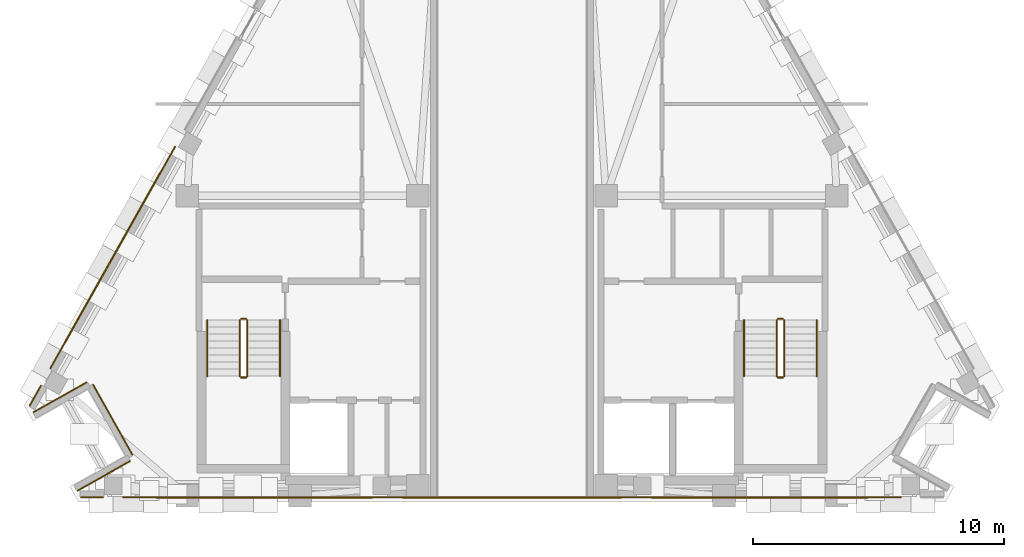
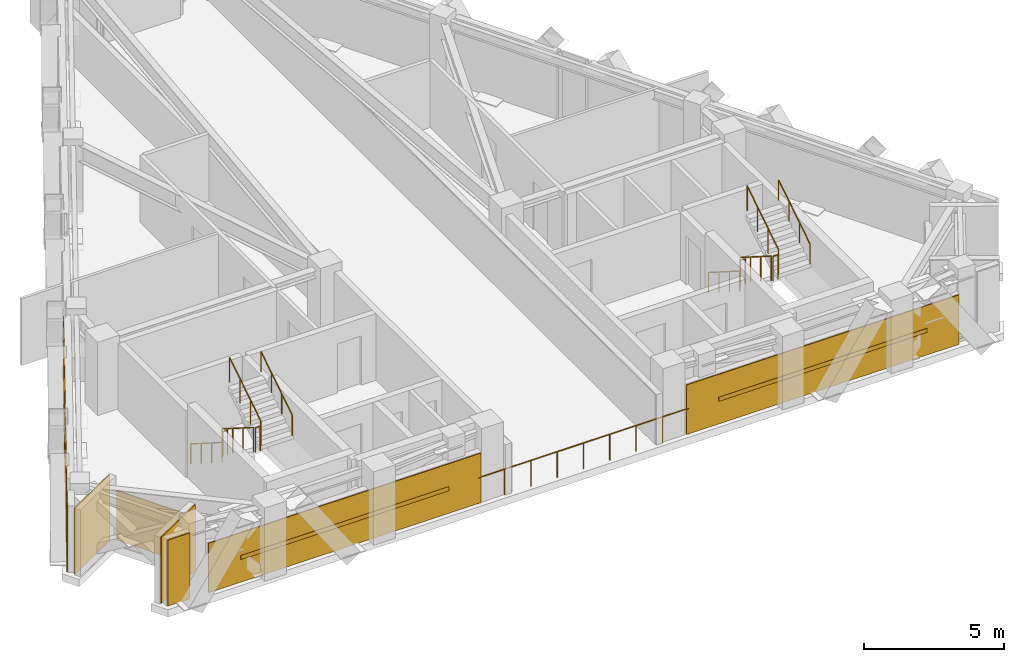
# One storey, part 6 of 7: 13 railings, 8 coverings, 3 shading devices.
"""IFC4 building model written with IfcOpenShell, lengths in metres."""

from ifc_helpers import new_model, si_unit, direction, frame, origin, origin_2d, place, context, subcontext, project, spatial, polyline, rectangle, circle, outline, extrude, material, layer, layer_set, material_profile, profile_set, type_object, element, save


model = new_model("IFC4")

# Units and contexts
model_context = context("Model", 3, precision=1e-05, world=origin(), true_north=direction((0.0, 1.0)))
body_context = subcontext(model_context, "Body", "Model", "MODEL_VIEW")
ifc_project = project(units=[si_unit("LENGTHUNIT", "METRE"), si_unit("AREAUNIT", "SQUARE_METRE"), si_unit("VOLUMEUNIT", "CUBIC_METRE"), si_unit("PLANEANGLEUNIT", "RADIAN"), si_unit("MASSUNIT", "GRAM", prefix="KILO")], contexts=[model_context])

# Site, building, storey
site_placement = place(None, origin())
site = spatial("IfcSite", under=ifc_project, at=site_placement, CompositionType="ELEMENT")
building_placement = place(site_placement, origin())
building = spatial("IfcBuilding", under=site, at=building_placement, Name="Quenlor Broadcast Tower", CompositionType="ELEMENT")
storey_placement = place(building_placement, frame((0.0, 0.0, 270.89990234375)))
storey = spatial("IfcBuildingStorey", under=building, at=storey_placement, Name="L75", CompositionType="ELEMENT", Elevation=270.89990234375)

# Coverings
ifc_material_1 = material(Name="Architectural Terracotta Ceramic", Category="masonry")
ifc_layer = layer(ifc_material_1, 0.044921875)
ifc_layer_set = layer_set([ifc_layer], Name="Fluted Terracotta Rainscreen Cladding Panel")
covering_type = type_object("IfcCoveringType", Name="Fluted Terracotta Rainscreen Cladding Panel", PredefinedType="CLADDING", material=ifc_layer_set)
covering_1_placement = place(storey_placement, frame((0.0, 0.0, 0.02001953125)))
element("IfcCovering", 1, at=covering_1_placement, inside=storey, type_object=covering_type, Name="L75 Terracotta Rainscreen Cladding L75-SHD-SS1", PredefinedType="CLADDING", context=body_context, shape_type="SweptSolid", body=[
    extrude(outline(polyline([(-16.28271484375, -16.787109375), (-17.18994140625, -16.787109375), (-17.18994140625, -16.83203125), (-16.28271484375, -16.83203125), (-16.28271484375, -16.787109375)])), origin(), (0.0, 0.0, 1.0), 2.880126953125),
])
covering_2_placement = place(storey_placement, frame((0.0, 0.0, 0.02001953125)))
element("IfcCovering", 2, at=covering_2_placement, inside=storey, type_object=covering_type, Name="L75 Terracotta Rainscreen Cladding L75-EW-SA", PredefinedType="CLADDING", context=body_context, shape_type="SweptSolid", body=[
    extrude(outline(polyline([(15.5126953125, -16.797119140625), (4.25, -16.797119140625), (4.25, -16.842041015625), (15.5126953125, -16.842041015625), (15.5126953125, -16.797119140625)])), origin(), (0.0, 0.0, 1.0), 2.1640625),
])
covering_3_placement = place(storey_placement, frame((0.0, 0.0, 0.02001953125)))
element("IfcCovering", 3, at=covering_3_placement, inside=storey, type_object=covering_type, Name="L75 Terracotta Rainscreen Cladding L75-EW-SC", PredefinedType="CLADDING", context=body_context, shape_type="SweptSolid", body=[
    extrude(outline(polyline([(-4.25, -16.797119140625), (-15.5126953125, -16.797119140625), (-15.5126953125, -16.842041015625), (-4.25, -16.842041015625), (-4.25, -16.797119140625)])), origin(), (0.0, 0.0, 1.0), 2.1640625),
])
covering_4_placement = place(storey_placement, frame((0.0, 0.0, 0.02001953125)))
element("IfcCovering", 4, at=covering_4_placement, inside=storey, type_object=covering_type, Name="L75 Terracotta Rainscreen Cladding L75-SHD-NWS0", PredefinedType="CLADDING", context=body_context, shape_type="SweptSolid", body=[
    extrude(outline(polyline([(-19.210205078125, -13.185791015625), (-18.751708984375, -12.37109375), (-18.791015625, -12.34912109375), (-19.24951171875, -13.163818359375), (-19.210205078125, -13.185791015625)])), origin(), (0.0, 0.0, 1.0), 2.880126953125),
])
covering_5_placement = place(storey_placement, frame((0.0, 0.0, 0.02001953125)))
element("IfcCovering", 5, at=covering_5_placement, inside=storey, type_object=covering_type, Name="L75 Terracotta Rainscreen Cladding L75-EW-NWA", PredefinedType="CLADDING", context=body_context, shape_type="SweptSolid", body=[
    extrude(outline(polyline([(-18.383056640625, -11.695068359375), (-13.40380859375, -2.843017578125), (-13.443115234375, -2.821044921875), (-18.42236328125, -11.673095703125), (-18.383056640625, -11.695068359375)])), origin(), (0.0, 0.0, 1.0), 2.880126953125),
])
covering_6_placement = place(storey_placement, frame((0.0, 0.0, 0.02001953125)))
element("IfcCovering", 6, at=covering_6_placement, inside=storey, type_object=covering_type, Name="L75 Terracotta Rainscreen Cladding L75-CNR-13", PredefinedType="CLADDING", context=body_context, shape_type="SweptSolid", body=[
    extrude(outline(polyline([(-19.062255859375, -13.444091796875), (-16.935546875, -12.247802734375), (-16.95751953125, -12.208740234375), (-19.084228515625, -13.405029296875), (-19.062255859375, -13.444091796875)])), origin(), (0.0, 0.0, 1.0), 2.880126953125),
])
covering_7_placement = place(storey_placement, frame((0.0, 0.0, 0.02001953125)))
element("IfcCovering", 7, at=covering_7_placement, inside=storey, type_object=covering_type, Name="L75 Terracotta Rainscreen Cladding L75-CNR-14", PredefinedType="CLADDING", context=body_context, shape_type="SweptSolid", body=[
    extrude(outline(polyline([(-16.72265625, -12.3369140625), (-15.14599609375, -15.139892578125), (-15.106689453125, -15.117919921875), (-16.683349609375, -12.31494140625), (-16.72265625, -12.3369140625)])), origin(), (0.0, 0.0, 1.0), 2.1640625),
])
covering_8_placement = place(storey_placement, frame((0.0, 0.0, 0.02001953125)))
element("IfcCovering", 8, at=covering_8_placement, inside=storey, type_object=covering_type, Name="L75 Terracotta Rainscreen Cladding L75-CNR-15", PredefinedType="CLADDING", context=body_context, shape_type="SweptSolid", body=[
    extrude(outline(polyline([(-15.23486328125, -15.352783203125), (-17.32666015625, -16.529541015625), (-17.3046875, -16.568603515625), (-15.212890625, -15.39208984375), (-15.23486328125, -15.352783203125)])), origin(), (0.0, 0.0, 1.0), 2.880126953125),
])

# Railings
ifc_material_2 = material(Name="Anodised Aluminium", Category="aluminium")
railing_type_1 = type_object("IfcRailingType", Name="Laminated Glass and Steel Perimeter Balustrade 1150", PredefinedType="BALUSTRADE", material=ifc_material_2)
railing_1_placement = place(storey_placement, frame((-4.35009765625, -16.820068359375, 0.0)))
element("IfcRailing", 9, at=railing_1_placement, inside=storey, type_object=railing_type_1, Name="L75 Wind Portal South Threshold Balustrade", PredefinedType="BALUSTRADE", context=body_context, shape_type="SweptSolid", body=[
    extrude(circle(Radius=0.02392578125, at=origin_2d()), frame((0.0, 0.0, 1.1259765625), z_axis=(1.0, 0.0, 0.0), x_axis=(0.0, 1.0, 0.0)), (0.0, 0.0, 1.0), 8.7001953125),
    extrude(circle(Radius=0.02099609375, at=origin_2d()), origin(), (0.0, 0.0, 1.0), 1.101806640625),
    extrude(circle(Radius=0.02099609375, at=origin_2d()), frame((1.08740234375, 0.0, 0.0)), (0.0, 0.0, 1.0), 1.101806640625),
    extrude(circle(Radius=0.02099609375, at=origin_2d()), frame((2.175048828125, 0.0, 0.0)), (0.0, 0.0, 1.0), 1.101806640625),
    extrude(circle(Radius=0.02099609375, at=origin_2d()), frame((3.2626953125, 0.0, 0.0)), (0.0, 0.0, 1.0), 1.101806640625),
    extrude(circle(Radius=0.02099609375, at=origin_2d()), frame((4.35009765625, 0.0, 0.0)), (0.0, 0.0, 1.0), 1.101806640625),
    extrude(circle(Radius=0.02099609375, at=origin_2d()), frame((5.4375, 0.0, 0.0)), (0.0, 0.0, 1.0), 1.101806640625),
    extrude(circle(Radius=0.02099609375, at=origin_2d()), frame((6.525146484375, 0.0, 0.0)), (0.0, 0.0, 1.0), 1.101806640625),
    extrude(circle(Radius=0.02099609375, at=origin_2d()), frame((7.61279296875, 0.0, 0.0)), (0.0, 0.0, 1.0), 1.101806640625),
    extrude(circle(Radius=0.02099609375, at=origin_2d()), frame((8.7001953125, 0.0, 0.0)), (0.0, 0.0, 1.0), 1.101806640625),
])
ifc_material_3 = material(Name="Anodised Aluminium", Category="aluminium")
railing_type_2 = type_object("IfcRailingType", Name="Stainless Aluminium Wall Handrail 900", PredefinedType="HANDRAIL", material=ifc_material_3)
railing_2_placement = place(storey_placement, frame((-12.14990234375, -9.75, 0.177978515625)))
element("IfcRailing", 10, at=railing_2_placement, inside=storey, type_object=railing_type_2, Name="L75 ST-1 stair handrail 1", PredefinedType="HANDRAIL", context=body_context, shape_type="SweptSolid", body=[
    extrude(circle(Radius=0.02392578125, at=origin_2d()), frame((0.0, 0.0, 0.8759765625), z_axis=(0.0, -0.8442293374, 0.53598211339), x_axis=(1.0, 0.0, 0.0)), (0.0, 0.0, 1.0), 2.6533203125),
    extrude(circle(Radius=0.02099609375, at=origin_2d()), origin(), (0.0, 0.0, 1.0), 0.851806640625),
    extrude(circle(Radius=0.02099609375, at=origin_2d()), frame((0.0, -0.74658203125, 0.47412109375)), (0.0, 0.0, 1.0), 0.851806640625),
    extrude(circle(Radius=0.02099609375, at=origin_2d()), frame((0.0, -1.493408203125, 0.947998046875)), (0.0, 0.0, 1.0), 0.851806640625),
    extrude(circle(Radius=0.02099609375, at=origin_2d()), frame((0.0, -2.239990234375, 1.422119140625)), (0.0, 0.0, 1.0), 0.851806640625),
])
railing_3_placement = place(storey_placement, frame((-9.25, -11.989990234375, 1.77783203125)))
element("IfcRailing", 11, at=railing_3_placement, inside=storey, type_object=railing_type_2, Name="L75 ST-1 stair handrail 2", PredefinedType="HANDRAIL", context=body_context, shape_type="SweptSolid", body=[
    extrude(circle(Radius=0.02392578125, at=origin_2d()), frame((0.0, 0.0, 0.8759765625), z_axis=(0.0, 0.84418770128, 0.536047689118), x_axis=(-1.0, 0.0, 0.0)), (0.0, 0.0, 1.0), 2.6533203125),
    extrude(circle(Radius=0.02099609375, at=origin_2d()), origin(), (0.0, 0.0, 1.0), 0.851806640625),
    extrude(circle(Radius=0.02099609375, at=origin_2d()), frame((0.0, 0.74658203125, 0.47412109375)), (0.0, 0.0, 1.0), 0.851806640625),
    extrude(circle(Radius=0.02099609375, at=origin_2d()), frame((0.0, 1.493408203125, 0.9482421875)), (0.0, 0.0, 1.0), 0.851806640625),
    extrude(circle(Radius=0.02099609375, at=origin_2d()), frame((0.0, 2.239990234375, 1.42236328125)), (0.0, 0.0, 1.0), 0.851806640625),
])
railing_4_placement = place(storey_placement, frame((9.25, -9.75, 0.177978515625)))
element("IfcRailing", 12, at=railing_4_placement, inside=storey, type_object=railing_type_2, Name="L75 ST-2 stair handrail 1", PredefinedType="HANDRAIL", context=body_context, shape_type="SweptSolid", body=[
    extrude(circle(Radius=0.02392578125, at=origin_2d()), frame((0.0, 0.0, 0.8759765625), z_axis=(0.0, -0.8442293374, 0.53598211339), x_axis=(1.0, 0.0, 0.0)), (0.0, 0.0, 1.0), 2.6533203125),
    extrude(circle(Radius=0.02099609375, at=origin_2d()), origin(), (0.0, 0.0, 1.0), 0.851806640625),
    extrude(circle(Radius=0.02099609375, at=origin_2d()), frame((0.0, -0.74658203125, 0.47412109375)), (0.0, 0.0, 1.0), 0.851806640625),
    extrude(circle(Radius=0.02099609375, at=origin_2d()), frame((0.0, -1.493408203125, 0.947998046875)), (0.0, 0.0, 1.0), 0.851806640625),
    extrude(circle(Radius=0.02099609375, at=origin_2d()), frame((0.0, -2.239990234375, 1.422119140625)), (0.0, 0.0, 1.0), 0.851806640625),
])
railing_5_placement = place(storey_placement, frame((12.14990234375, -11.989990234375, 1.77783203125)))
element("IfcRailing", 13, at=railing_5_placement, inside=storey, type_object=railing_type_2, Name="L75 ST-2 stair handrail 2", PredefinedType="HANDRAIL", context=body_context, shape_type="SweptSolid", body=[
    extrude(circle(Radius=0.02392578125, at=origin_2d()), frame((0.0, 0.0, 0.8759765625), z_axis=(0.0, 0.84418770128, 0.536047689118), x_axis=(-1.0, 0.0, 0.0)), (0.0, 0.0, 1.0), 2.6533203125),
    extrude(circle(Radius=0.02099609375, at=origin_2d()), origin(), (0.0, 0.0, 1.0), 0.851806640625),
    extrude(circle(Radius=0.02099609375, at=origin_2d()), frame((0.0, 0.74658203125, 0.47412109375)), (0.0, 0.0, 1.0), 0.851806640625),
    extrude(circle(Radius=0.02099609375, at=origin_2d()), frame((0.0, 1.493408203125, 0.9482421875)), (0.0, 0.0, 1.0), 0.851806640625),
    extrude(circle(Radius=0.02099609375, at=origin_2d()), frame((0.0, 2.239990234375, 1.42236328125)), (0.0, 0.0, 1.0), 0.851806640625),
])

# Shading devices
ifc_material_4 = material(Name="Architectural Terracotta Ceramic", Category="masonry")
ifc_material_profile = material_profile(ifc_material_4, rectangle(XDim=0.06005859375, YDim=0.179931640625, at=origin_2d()))
ifc_profile_set = profile_set([ifc_material_profile], Name="Architectural Terracotta Ceramic LVR60x180")
shading_device_type = type_object("IfcShadingDeviceType", Name="Terracotta Acoustic Plant Weather Louvre 180", PredefinedType="JALOUSIE", material=ifc_profile_set)
for number, where, z_axis, x_axis, name in (
    (14, (14.183837890625, -16.822998046875, 1.10205078125), (-1.0, 0.0, 0.0), (0.0, -1.0, 0.0), "L75 Plant Weather Louvre L75-LV-SA"),
    (15, (-5.57861328125, -16.822998046875, 1.10205078125), (-1.0, 0.0, 0.0), (0.0, -1.0, 0.0), "L75 Plant Weather Louvre L75-LV-SC"),
):
    element("IfcShadingDevice", number, at=place(storey_placement, frame(where, z_axis=z_axis, x_axis=x_axis)), inside=storey, type_object=shading_device_type, Name=name, PredefinedType="JALOUSIE", context=body_context, shape_type="SweptSolid", body=[
        extrude(rectangle(XDim=0.06005859375, YDim=0.179931640625, at=origin_2d()), origin(), (0.0, 0.0, 1.0), 8.605224609375),
    ])
shading_device_placement = place(storey_placement, frame((-17.8193359375, -10.639892578125, 1.460205078125), z_axis=(0.490276168503, 0.871567139467, 0.0), x_axis=(-0.871567139467, 0.490276168503, 0.0)))
element("IfcShadingDevice", 16, at=shading_device_placement, inside=storey, type_object=shading_device_type, Name="L75 Plant Weather Louvre L75-LV-NWA", PredefinedType="JALOUSIE", context=body_context, shape_type="SweptSolid", body=[
    extrude(rectangle(XDim=0.06005859375, YDim=0.179931640625, at=origin_2d()), origin(), (0.0, 0.0, 1.0), 7.76416015625),
])

# Railings
ifc_material_5 = material(Name="Steel S355", Category="steel")
railing_type_3 = type_object("IfcRailingType", Name="Tubular Steel S355 Stair Guardrail 1100", PredefinedType="BALUSTRADE", material=ifc_material_5)
railing_6_placement = place(storey_placement, frame((-10.85009765625, -9.75, 0.177978515625)))
element("IfcRailing", 17, at=railing_6_placement, inside=storey, type_object=railing_type_3, Name="L75 ST-1 stair guard 1", PredefinedType="BALUSTRADE", context=body_context, shape_type="SweptSolid", body=[
    extrude(circle(Radius=0.02392578125, at=origin_2d()), frame((0.0, 0.0, 1.076171875), z_axis=(0.0, -0.8442293374, 0.53598211339), x_axis=(1.0, 0.0, 0.0)), (0.0, 0.0, 1.0), 2.6533203125),
    extrude(circle(Radius=0.02099609375, at=origin_2d()), origin(), (0.0, 0.0, 1.0), 1.052001953125),
    extrude(circle(Radius=0.02099609375, at=origin_2d()), frame((0.0, -0.74658203125, 0.47412109375)), (0.0, 0.0, 1.0), 1.052001953125),
    extrude(circle(Radius=0.02099609375, at=origin_2d()), frame((0.0, -1.493408203125, 0.947998046875)), (0.0, 0.0, 1.0), 1.052001953125),
    extrude(circle(Radius=0.02099609375, at=origin_2d()), frame((0.0, -2.239990234375, 1.422119140625)), (0.0, 0.0, 1.0), 1.052001953125),
])
railing_7_placement = place(storey_placement, frame((-10.800048828125, -12.0400390625, 1.60009765625)))
element("IfcRailing", 18, at=railing_7_placement, inside=storey, type_object=railing_type_3, Name="L75 ST-1 stair guard 2", PredefinedType="BALUSTRADE", context=body_context, shape_type="SweptSolid", body=[
    extrude(circle(Radius=0.02392578125, at=origin_2d()), frame((0.0, 0.0, 1.076171875), z_axis=(1.0, 0.0, 0.0), x_axis=(0.0, 1.0, 0.0)), (0.0, 0.0, 1.0), 0.199951171875),
    extrude(circle(Radius=0.02099609375, at=origin_2d()), origin(), (0.0, 0.0, 1.0), 1.052001953125),
    extrude(circle(Radius=0.02099609375, at=origin_2d()), frame((0.199951171875, 0.0, 0.0)), (0.0, 0.0, 1.0), 1.052001953125),
])
railing_8_placement = place(storey_placement, frame((-10.550048828125, -11.989990234375, 1.77783203125)))
element("IfcRailing", 19, at=railing_8_placement, inside=storey, type_object=railing_type_3, Name="L75 ST-1 stair guard 3", PredefinedType="BALUSTRADE", context=body_context, shape_type="SweptSolid", body=[
    extrude(circle(Radius=0.02392578125, at=origin_2d()), frame((0.0, 0.0, 1.076171875), z_axis=(0.0, 0.84418770128, 0.536047689118), x_axis=(-1.0, 0.0, 0.0)), (0.0, 0.0, 1.0), 2.6533203125),
    extrude(circle(Radius=0.02099609375, at=origin_2d()), origin(), (0.0, 0.0, 1.0), 1.052001953125),
    extrude(circle(Radius=0.02099609375, at=origin_2d()), frame((0.0, 0.74658203125, 0.47412109375)), (0.0, 0.0, 1.0), 1.052001953125),
    extrude(circle(Radius=0.02099609375, at=origin_2d()), frame((0.0, 1.493408203125, 0.9482421875)), (0.0, 0.0, 1.0), 1.052001953125),
    extrude(circle(Radius=0.02099609375, at=origin_2d()), frame((0.0, 2.239990234375, 1.42236328125)), (0.0, 0.0, 1.0), 1.052001953125),
])
railing_9_placement = place(storey_placement, frame((-10.800048828125, -9.699951171875, 0.0)))
element("IfcRailing", 20, at=railing_9_placement, inside=storey, type_object=railing_type_3, Name="L75 ST-1 stair guard 4", PredefinedType="BALUSTRADE", context=body_context, shape_type="SweptSolid", body=[
    extrude(circle(Radius=0.02392578125, at=origin_2d()), frame((0.0, 0.0, 1.076171875), z_axis=(1.0, 0.0, 0.0), x_axis=(0.0, 1.0, 0.0)), (0.0, 0.0, 1.0), 0.199951171875),
    extrude(circle(Radius=0.02099609375, at=origin_2d()), origin(), (0.0, 0.0, 1.0), 1.052001953125),
    extrude(circle(Radius=0.02099609375, at=origin_2d()), frame((0.199951171875, 0.0, 0.0)), (0.0, 0.0, 1.0), 1.052001953125),
])
railing_10_placement = place(storey_placement, frame((10.550048828125, -9.75, 0.177978515625)))
element("IfcRailing", 21, at=railing_10_placement, inside=storey, type_object=railing_type_3, Name="L75 ST-2 stair guard 1", PredefinedType="BALUSTRADE", context=body_context, shape_type="SweptSolid", body=[
    extrude(circle(Radius=0.02392578125, at=origin_2d()), frame((0.0, 0.0, 1.076171875), z_axis=(0.0, -0.8442293374, 0.53598211339), x_axis=(1.0, 0.0, 0.0)), (0.0, 0.0, 1.0), 2.6533203125),
    extrude(circle(Radius=0.02099609375, at=origin_2d()), origin(), (0.0, 0.0, 1.0), 1.052001953125),
    extrude(circle(Radius=0.02099609375, at=origin_2d()), frame((0.0, -0.74658203125, 0.47412109375)), (0.0, 0.0, 1.0), 1.052001953125),
    extrude(circle(Radius=0.02099609375, at=origin_2d()), frame((0.0, -1.493408203125, 0.947998046875)), (0.0, 0.0, 1.0), 1.052001953125),
    extrude(circle(Radius=0.02099609375, at=origin_2d()), frame((0.0, -2.239990234375, 1.422119140625)), (0.0, 0.0, 1.0), 1.052001953125),
])
railing_11_placement = place(storey_placement, frame((10.60009765625, -12.0400390625, 1.60009765625)))
element("IfcRailing", 22, at=railing_11_placement, inside=storey, type_object=railing_type_3, Name="L75 ST-2 stair guard 2", PredefinedType="BALUSTRADE", context=body_context, shape_type="SweptSolid", body=[
    extrude(circle(Radius=0.02392578125, at=origin_2d()), frame((0.0, 0.0, 1.076171875), z_axis=(1.0, 0.0, 0.0), x_axis=(0.0, 1.0, 0.0)), (0.0, 0.0, 1.0), 0.199951171875),
    extrude(circle(Radius=0.02099609375, at=origin_2d()), origin(), (0.0, 0.0, 1.0), 1.052001953125),
    extrude(circle(Radius=0.02099609375, at=origin_2d()), frame((0.199951171875, 0.0, 0.0)), (0.0, 0.0, 1.0), 1.052001953125),
])
railing_12_placement = place(storey_placement, frame((10.85009765625, -11.989990234375, 1.77783203125)))
element("IfcRailing", 23, at=railing_12_placement, inside=storey, type_object=railing_type_3, Name="L75 ST-2 stair guard 3", PredefinedType="BALUSTRADE", context=body_context, shape_type="SweptSolid", body=[
    extrude(circle(Radius=0.02392578125, at=origin_2d()), frame((0.0, 0.0, 1.076171875), z_axis=(0.0, 0.84418770128, 0.536047689118), x_axis=(-1.0, 0.0, 0.0)), (0.0, 0.0, 1.0), 2.6533203125),
    extrude(circle(Radius=0.02099609375, at=origin_2d()), origin(), (0.0, 0.0, 1.0), 1.052001953125),
    extrude(circle(Radius=0.02099609375, at=origin_2d()), frame((0.0, 0.74658203125, 0.47412109375)), (0.0, 0.0, 1.0), 1.052001953125),
    extrude(circle(Radius=0.02099609375, at=origin_2d()), frame((0.0, 1.493408203125, 0.9482421875)), (0.0, 0.0, 1.0), 1.052001953125),
    extrude(circle(Radius=0.02099609375, at=origin_2d()), frame((0.0, 2.239990234375, 1.42236328125)), (0.0, 0.0, 1.0), 1.052001953125),
])
railing_13_placement = place(storey_placement, frame((10.60009765625, -9.699951171875, 0.0)))
element("IfcRailing", 24, at=railing_13_placement, inside=storey, type_object=railing_type_3, Name="L75 ST-2 stair guard 4", PredefinedType="BALUSTRADE", context=body_context, shape_type="SweptSolid", body=[
    extrude(circle(Radius=0.02392578125, at=origin_2d()), frame((0.0, 0.0, 1.076171875), z_axis=(1.0, 0.0, 0.0), x_axis=(0.0, 1.0, 0.0)), (0.0, 0.0, 1.0), 0.199951171875),
    extrude(circle(Radius=0.02099609375, at=origin_2d()), origin(), (0.0, 0.0, 1.0), 1.052001953125),
    extrude(circle(Radius=0.02099609375, at=origin_2d()), frame((0.199951171875, 0.0, 0.0)), (0.0, 0.0, 1.0), 1.052001953125),
])

save(model, "model.ifc")
